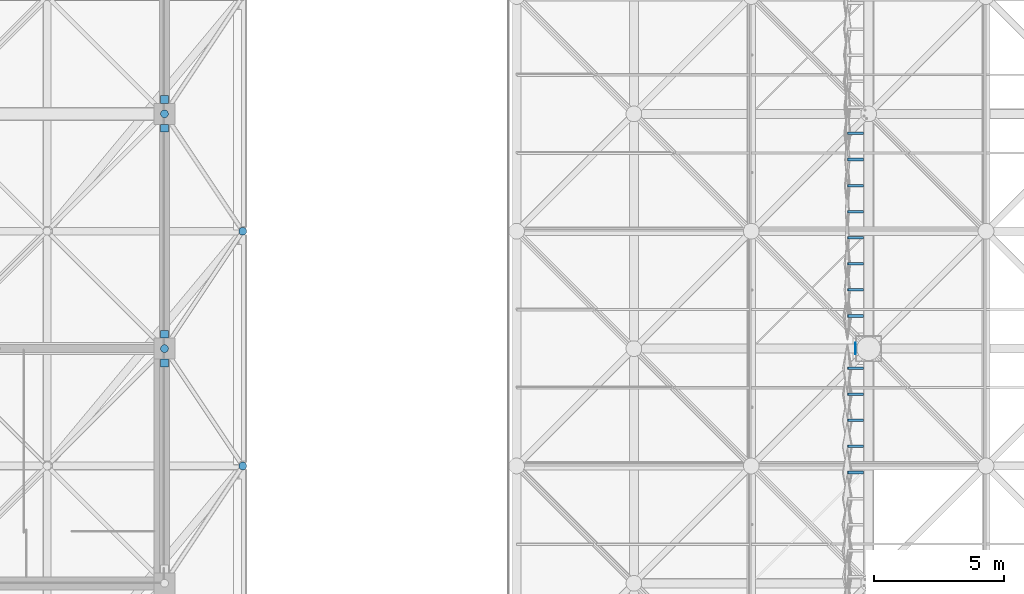
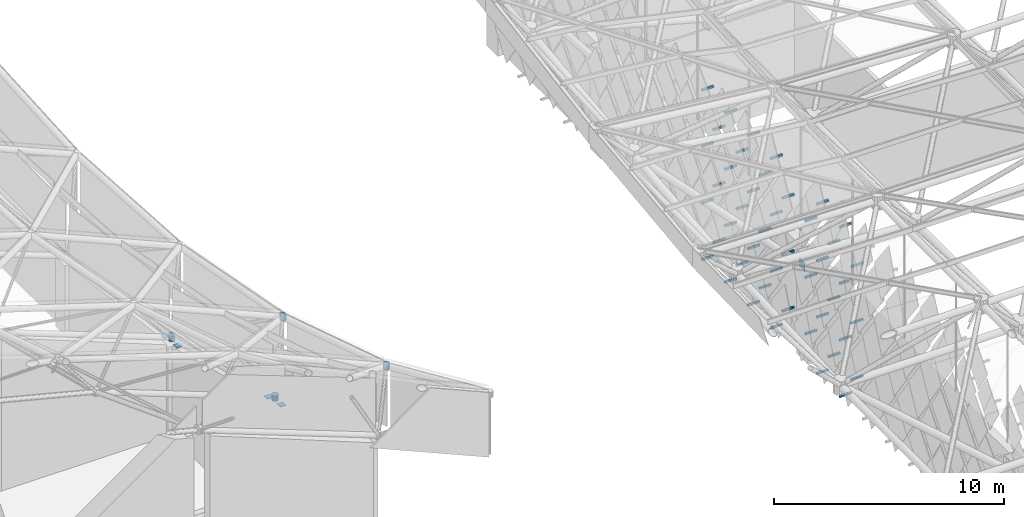
# One storey, part 362 of 437: 54 discrete accessories.
"""IFC4 building model written with IfcOpenShell, lengths in metres."""

from ifc_helpers import new_model, si_unit, direction, frame, origin, origin_2d, place, context, subcontext, project, spatial, polyline, rectangle, outline, extrude, material, layer, layer_set, type_object, element, save


model = new_model("IFC4")

# Units and contexts
model_context = context("Model", 3, precision=1e-05, world=origin(), true_north=direction((0.0, 1.0)))
body_context = subcontext(model_context, "Body", "Model", "MODEL_VIEW")
ifc_project = project(units=[si_unit("LENGTHUNIT", "METRE"), si_unit("AREAUNIT", "SQUARE_METRE"), si_unit("VOLUMEUNIT", "CUBIC_METRE"), si_unit("PLANEANGLEUNIT", "RADIAN"), si_unit("MASSUNIT", "GRAM", prefix="KILO")], contexts=[model_context])

# Site, building, storey
site_placement = place(None, origin())
site = spatial("IfcSite", under=ifc_project, at=site_placement, CompositionType="ELEMENT")
building_placement = place(site_placement, origin())
building = spatial("IfcBuilding", under=site, at=building_placement, Name="Opaline Strait Convention Centre", CompositionType="ELEMENT")
storey_placement = place(building_placement, frame((0.0, 0.0, 11.5)))
storey = spatial("IfcBuildingStorey", under=building, at=storey_placement, Name="L02", CompositionType="ELEMENT", Elevation=11.5)

# Discrete accessories
ifc_material_1 = material(Name="Steel Q355B", Category="steel")
ifc_layer_1 = layer(ifc_material_1, 0.02001953125)
ifc_layer_set_1 = layer_set([ifc_layer_1], Name="Steel Q355B")
discrete_accessory_type_1 = type_object("IfcDiscreteAccessoryType", Name="Cast-in anchor plate 300 x 300 x 20", PredefinedType="ANCHORPLATE", material=ifc_layer_set_1)
for number, where, z_axis, x_axis, name in (
    (1, (72.0, 125.4501953125, 7.18017578125), (0.0, 0.0, 1.0), (1.0, 0.0, 0.0), "Cast-in anchor plate at PWB1 web 8-2ac"),
    (2, (72.0, 126.5498046875, 6.935546875), (0.0, 0.0, 1.0), (1.0, 0.0, 0.0), "Cast-in anchor plate at PWB1 web 8-2ad"),
    (3, (72.0, 134.4501953125, 4.854736328125), (0.0, 0.0, 1.0), (1.0, 0.0, 0.0), "Cast-in anchor plate at PWB1 web 8-3ac"),
    (4, (72.0, 135.5498046875, 4.70068359375), (0.0, 0.0, 1.0), (1.0, 0.0, 0.0), "Cast-in anchor plate at PWB1 web 8-3ad"),
):
    element("IfcDiscreteAccessory", number, at=place(storey_placement, frame(where, z_axis=z_axis, x_axis=x_axis)), inside=storey, type_object=discrete_accessory_type_1, Name=name, PredefinedType="ANCHORPLATE", context=body_context, shape_type="SweptSolid", body=[
        extrude(rectangle(XDim=0.300048828125, YDim=0.300048828125, at=origin_2d()), origin(), (0.0, 0.0, 1.0), 0.02001953125),
    ])
ifc_material_2 = material(Name="Structural steel Q355B", Category="steel")
ifc_layer_2 = layer(ifc_material_2, 0.01611328125)
ifc_layer_set_2 = layer_set([ifc_layer_2], Name="Structural steel Q355B")
discrete_accessory_type_2 = type_object("IfcDiscreteAccessoryType", Name="Prop bearing plate 450 x 450 x 16", PredefinedType="ANCHORPLATE", material=ifc_layer_set_2)
discrete_accessory_1_placement = place(storey_placement, frame((0.0, 0.0, 4.791748046875)))
element("IfcDiscreteAccessory", 5, at=discrete_accessory_1_placement, inside=storey, type_object=discrete_accessory_type_2, Name="Prop bearing plate 99/126 W", PredefinedType="ANCHORPLATE", context=body_context, shape_type="SweptSolid", body=[
    extrude(outline(polyline([(98.48388671875, 125.77490234375), (98.5, 125.77490234375), (98.5, 126.22509765625), (98.48388671875, 126.22509765625), (98.48388671875, 125.77490234375)])), origin(), (0.0, 0.0, 1.0), 0.449951171875),
])
ifc_material_3 = material(Name="Cast steel ZG300-500H (300 MPa)", Category="steel")
discrete_accessory_type_3 = type_object("IfcDiscreteAccessoryType", Name="Shell node hub D300 cast steel", PredefinedType="USERDEFINED", material=ifc_material_3)
discrete_accessory_2_placement = place(storey_placement, frame((0.0, 0.0, 7.111328125)))
element("IfcDiscreteAccessory", 6, at=discrete_accessory_2_placement, inside=storey, type_object=discrete_accessory_type_3, Name="PNH1 node hub B8-2", ObjectType="NODE HUB", PredefinedType="USERDEFINED", context=body_context, shape_type="SweptSolid", body=[
    extrude(outline(polyline([(72.14990234375, 126.02978515625), (72.127197265625, 126.0849609375), (72.0849609375, 126.127197265625), (72.02978515625, 126.14990234375), (71.97021484375, 126.14990234375), (71.9150390625, 126.127197265625), (71.872802734375, 126.0849609375), (71.85009765625, 126.02978515625), (71.85009765625, 125.97021484375), (71.872802734375, 125.9150390625), (71.9150390625, 125.872802734375), (71.97021484375, 125.85009765625), (72.02978515625, 125.85009765625), (72.0849609375, 125.872802734375), (72.127197265625, 125.9150390625), (72.14990234375, 125.97021484375), (72.14990234375, 126.02978515625)])), origin(), (0.0, 0.0, 1.0), 0.31005859375),
])
discrete_accessory_3_placement = place(storey_placement, frame((0.0, 0.0, 4.82568359375)))
element("IfcDiscreteAccessory", 7, at=discrete_accessory_3_placement, inside=storey, type_object=discrete_accessory_type_3, Name="PNH1 node hub B8-3", ObjectType="NODE HUB", PredefinedType="USERDEFINED", context=body_context, shape_type="SweptSolid", body=[
    extrude(outline(polyline([(72.14990234375, 135.02978515625), (72.127197265625, 135.0849609375), (72.0849609375, 135.127197265625), (72.02978515625, 135.14990234375), (71.97021484375, 135.14990234375), (71.9150390625, 135.127197265625), (71.872802734375, 135.0849609375), (71.85009765625, 135.02978515625), (71.85009765625, 134.97021484375), (71.872802734375, 134.9150390625), (71.9150390625, 134.872802734375), (71.97021484375, 134.85009765625), (72.02978515625, 134.85009765625), (72.0849609375, 134.872802734375), (72.127197265625, 134.9150390625), (72.14990234375, 134.97021484375), (72.14990234375, 135.02978515625)])), origin(), (0.0, 0.0, 1.0), 0.31005859375),
])
discrete_accessory_4_placement = place(storey_placement, frame((0.0, 0.0, 10.43603515625)))
element("IfcDiscreteAccessory", 8, at=discrete_accessory_4_placement, inside=storey, type_object=discrete_accessory_type_3, Name="PNH1 node hub T9-2", ObjectType="NODE HUB", PredefinedType="USERDEFINED", context=body_context, shape_type="SweptSolid", body=[
    extrude(outline(polyline([(75.14990234375, 121.52978515625), (75.127197265625, 121.5849609375), (75.0849609375, 121.627197265625), (75.02978515625, 121.64990234375), (74.97021484375, 121.64990234375), (74.9150390625, 121.627197265625), (74.872802734375, 121.5849609375), (74.85009765625, 121.52978515625), (74.85009765625, 121.47021484375), (74.872802734375, 121.4150390625), (74.9150390625, 121.372802734375), (74.97021484375, 121.35009765625), (75.02978515625, 121.35009765625), (75.0849609375, 121.372802734375), (75.127197265625, 121.4150390625), (75.14990234375, 121.47021484375), (75.14990234375, 121.52978515625)])), origin(), (0.0, 0.0, 1.0), 0.31005859375),
])
discrete_accessory_5_placement = place(storey_placement, frame((0.0, 0.0, 7.578857421875)))
element("IfcDiscreteAccessory", 9, at=discrete_accessory_5_placement, inside=storey, type_object=discrete_accessory_type_3, Name="PNH1 node hub T9-3", ObjectType="NODE HUB", PredefinedType="USERDEFINED", context=body_context, shape_type="SweptSolid", body=[
    extrude(outline(polyline([(75.14990234375, 130.52978515625), (75.127197265625, 130.5849609375), (75.0849609375, 130.627197265625), (75.02978515625, 130.64990234375), (74.97021484375, 130.64990234375), (74.9150390625, 130.627197265625), (74.872802734375, 130.5849609375), (74.85009765625, 130.52978515625), (74.85009765625, 130.47021484375), (74.872802734375, 130.4150390625), (74.9150390625, 130.372802734375), (74.97021484375, 130.35009765625), (75.02978515625, 130.35009765625), (75.0849609375, 130.372802734375), (75.127197265625, 130.4150390625), (75.14990234375, 130.47021484375), (75.14990234375, 130.52978515625)])), origin(), (0.0, 0.0, 1.0), 0.31005859375),
])
discrete_accessory_type_4 = type_object("IfcDiscreteAccessoryType", Name="Tile bracket 100x100 steel", PredefinedType="BRACKET", material=ifc_material_1)
discrete_accessory_6_placement = place(storey_placement, frame((98.800048828125, 134.300048828125, 0.39208984375), z_axis=(0.0, -1.0, 0.0), x_axis=(1.0, 0.0, 0.0)))
element("IfcDiscreteAccessory", 10, at=discrete_accessory_6_placement, inside=storey, type_object=discrete_accessory_type_4, Name="Tile bracket XT04 W", PredefinedType="BRACKET", context=body_context, shape_type="SweptSolid", body=[
    extrude(outline(polyline([(0.0, -0.050048828125), (0.0, 0.050048828125), (-0.59814453125, 0.050048828125), (-0.601806640625, -0.050048828125), (0.0, -0.050048828125)])), origin(), (0.0, 0.0, 1.0), 0.10009765625),
])
discrete_accessory_7_placement = place(storey_placement, frame((98.800048828125, 132.300048828125, 0.39208984375), z_axis=(0.0, -1.0, 0.0), x_axis=(1.0, 0.0, 0.0)))
element("IfcDiscreteAccessory", 11, at=discrete_accessory_7_placement, inside=storey, type_object=discrete_accessory_type_4, Name="Tile bracket XT06 W", PredefinedType="BRACKET", context=body_context, shape_type="SweptSolid", body=[
    extrude(outline(polyline([(0.0, -0.050048828125), (0.0, 0.050048828125), (-0.597412109375, 0.050048828125), (-0.6025390625, -0.050048828125), (0.0, -0.050048828125)])), origin(), (0.0, 0.0, 1.0), 0.10009765625),
])
discrete_accessory_8_placement = place(storey_placement, frame((98.800048828125, 130.300048828125, 0.39208984375), z_axis=(0.0, -1.0, 0.0), x_axis=(1.0, 0.0, 0.0)))
element("IfcDiscreteAccessory", 12, at=discrete_accessory_8_placement, inside=storey, type_object=discrete_accessory_type_4, Name="Tile bracket XT10 W", PredefinedType="BRACKET", context=body_context, shape_type="SweptSolid", body=[
    extrude(outline(polyline([(0.0, -0.050048828125), (0.0, 0.050048828125), (-0.595703125, 0.050048828125), (-0.604248046875, -0.050048828125), (0.0, -0.050048828125)])), origin(), (0.0, 0.0, 1.0), 0.10009765625),
])
discrete_accessory_9_placement = place(storey_placement, frame((98.800048828125, 128.300048828125, 0.39208984375), z_axis=(0.0, -1.0, 0.0), x_axis=(1.0, 0.0, 0.0)))
element("IfcDiscreteAccessory", 13, at=discrete_accessory_9_placement, inside=storey, type_object=discrete_accessory_type_4, Name="Tile bracket XT13 W", PredefinedType="BRACKET", context=body_context, shape_type="SweptSolid", body=[
    extrude(outline(polyline([(0.0, -0.050048828125), (0.0, 0.050048828125), (-0.59423828125, 0.050048828125), (-0.605712890625, -0.050048828125), (0.0, -0.050048828125)])), origin(), (0.0, 0.0, 1.0), 0.10009765625),
])
discrete_accessory_10_placement = place(storey_placement, frame((98.800048828125, 124.300048828125, 0.39208984375), z_axis=(0.0, -1.0, 0.0), x_axis=(1.0, 0.0, 0.0)))
element("IfcDiscreteAccessory", 14, at=discrete_accessory_10_placement, inside=storey, type_object=discrete_accessory_type_4, Name="Tile bracket XT14 W", PredefinedType="BRACKET", context=body_context, shape_type="SweptSolid", body=[
    extrude(outline(polyline([(0.0, -0.050048828125), (0.0, 0.050048828125), (-0.59375, 0.050048828125), (-0.606201171875, -0.050048828125), (0.0, -0.050048828125)])), origin(), (0.0, 0.0, 1.0), 0.10009765625),
])
discrete_accessory_11_placement = place(storey_placement, frame((98.800048828125, 122.300048828125, 0.39208984375), z_axis=(0.0, -1.0, 0.0), x_axis=(1.0, 0.0, 0.0)))
element("IfcDiscreteAccessory", 15, at=discrete_accessory_11_placement, inside=storey, type_object=discrete_accessory_type_4, Name="Tile bracket XT12 W", PredefinedType="BRACKET", context=body_context, shape_type="SweptSolid", body=[
    extrude(outline(polyline([(0.0, -0.050048828125), (0.0, 0.050048828125), (-0.5947265625, 0.050048828125), (-0.605224609375, -0.050048828125), (0.0, -0.050048828125)])), origin(), (0.0, 0.0, 1.0), 0.10009765625),
])
discrete_accessory_12_placement = place(storey_placement, frame((98.800048828125, 133.300048828125, 1.89208984375), z_axis=(0.0, -1.0, 0.0), x_axis=(1.0, 0.0, 0.0)))
element("IfcDiscreteAccessory", 16, at=discrete_accessory_12_placement, inside=storey, type_object=discrete_accessory_type_4, Name="Tile bracket XT04 W", PredefinedType="BRACKET", context=body_context, shape_type="SweptSolid", body=[
    extrude(outline(polyline([(0.0, -0.050048828125), (0.0, 0.050048828125), (-0.59814453125, 0.050048828125), (-0.601806640625, -0.050048828125), (0.0, -0.050048828125)])), origin(), (0.0, 0.0, 1.0), 0.10009765625),
])
discrete_accessory_13_placement = place(storey_placement, frame((98.800048828125, 131.300048828125, 1.89208984375), z_axis=(0.0, -1.0, 0.0), x_axis=(1.0, 0.0, 0.0)))
element("IfcDiscreteAccessory", 17, at=discrete_accessory_13_placement, inside=storey, type_object=discrete_accessory_type_4, Name="Tile bracket XT06 W", PredefinedType="BRACKET", context=body_context, shape_type="SweptSolid", body=[
    extrude(outline(polyline([(0.0, -0.050048828125), (0.0, 0.050048828125), (-0.597412109375, 0.050048828125), (-0.6025390625, -0.050048828125), (0.0, -0.050048828125)])), origin(), (0.0, 0.0, 1.0), 0.10009765625),
])
discrete_accessory_14_placement = place(storey_placement, frame((98.800048828125, 129.300048828125, 1.89208984375), z_axis=(0.0, -1.0, 0.0), x_axis=(1.0, 0.0, 0.0)))
element("IfcDiscreteAccessory", 18, at=discrete_accessory_14_placement, inside=storey, type_object=discrete_accessory_type_4, Name="Tile bracket XT10 W", PredefinedType="BRACKET", context=body_context, shape_type="SweptSolid", body=[
    extrude(outline(polyline([(0.0, -0.050048828125), (0.0, 0.050048828125), (-0.595703125, 0.050048828125), (-0.604248046875, -0.050048828125), (0.0, -0.050048828125)])), origin(), (0.0, 0.0, 1.0), 0.10009765625),
])
discrete_accessory_15_placement = place(storey_placement, frame((98.800048828125, 127.300048828125, 1.89208984375), z_axis=(0.0, -1.0, 0.0), x_axis=(1.0, 0.0, 0.0)))
element("IfcDiscreteAccessory", 19, at=discrete_accessory_15_placement, inside=storey, type_object=discrete_accessory_type_4, Name="Tile bracket XT13 W", PredefinedType="BRACKET", context=body_context, shape_type="SweptSolid", body=[
    extrude(outline(polyline([(0.0, -0.050048828125), (0.0, 0.050048828125), (-0.59423828125, 0.050048828125), (-0.605712890625, -0.050048828125), (0.0, -0.050048828125)])), origin(), (0.0, 0.0, 1.0), 0.10009765625),
])
for number, where, z_axis, x_axis, name in (
    (20, (98.800048828125, 125.300048828125, 1.89208984375), (0.0, -1.0, 0.0), (1.0, 0.0, 0.0), "Tile bracket XT14 W"),
    (21, (98.800048828125, 123.300048828125, 1.89208984375), (0.0, -1.0, 0.0), (1.0, 0.0, 0.0), "Tile bracket XT14 W"),
):
    element("IfcDiscreteAccessory", number, at=place(storey_placement, frame(where, z_axis=z_axis, x_axis=x_axis)), inside=storey, type_object=discrete_accessory_type_4, Name=name, PredefinedType="BRACKET", context=body_context, shape_type="SweptSolid", body=[
        extrude(outline(polyline([(0.0, -0.050048828125), (0.0, 0.050048828125), (-0.59375, 0.050048828125), (-0.606201171875, -0.050048828125), (0.0, -0.050048828125)])), origin(), (0.0, 0.0, 1.0), 0.10009765625),
    ])
discrete_accessory_16_placement = place(storey_placement, frame((98.800048828125, 121.300048828125, 1.89208984375), z_axis=(0.0, -1.0, 0.0), x_axis=(1.0, 0.0, 0.0)))
element("IfcDiscreteAccessory", 22, at=discrete_accessory_16_placement, inside=storey, type_object=discrete_accessory_type_4, Name="Tile bracket XT12 W", PredefinedType="BRACKET", context=body_context, shape_type="SweptSolid", body=[
    extrude(outline(polyline([(0.0, -0.050048828125), (0.0, 0.050048828125), (-0.5947265625, 0.050048828125), (-0.605224609375, -0.050048828125), (0.0, -0.050048828125)])), origin(), (0.0, 0.0, 1.0), 0.10009765625),
])
discrete_accessory_17_placement = place(storey_placement, frame((98.800048828125, 134.300048828125, 3.39208984375), z_axis=(0.0, -1.0, 0.0), x_axis=(1.0, 0.0, 0.0)))
element("IfcDiscreteAccessory", 23, at=discrete_accessory_17_placement, inside=storey, type_object=discrete_accessory_type_4, Name="Tile bracket XT04 W", PredefinedType="BRACKET", context=body_context, shape_type="SweptSolid", body=[
    extrude(outline(polyline([(0.0, -0.050048828125), (0.0, 0.050048828125), (-0.601806640625, 0.050048828125), (-0.59814453125, -0.050048828125), (0.0, -0.050048828125)])), origin(), (0.0, 0.0, 1.0), 0.10009765625),
])
discrete_accessory_18_placement = place(storey_placement, frame((98.800048828125, 132.300048828125, 3.39208984375), z_axis=(0.0, -1.0, 0.0), x_axis=(1.0, 0.0, 0.0)))
element("IfcDiscreteAccessory", 24, at=discrete_accessory_18_placement, inside=storey, type_object=discrete_accessory_type_4, Name="Tile bracket XT05 W", PredefinedType="BRACKET", context=body_context, shape_type="SweptSolid", body=[
    extrude(outline(polyline([(0.0, -0.050048828125), (0.0, 0.050048828125), (-0.597900390625, 0.050048828125), (-0.602294921875, -0.050048828125), (0.0, -0.050048828125)])), origin(), (0.0, 0.0, 1.0), 0.10009765625),
])
discrete_accessory_19_placement = place(storey_placement, frame((98.800048828125, 130.300048828125, 3.39208984375), z_axis=(0.0, -1.0, 0.0), x_axis=(1.0, 0.0, 0.0)))
element("IfcDiscreteAccessory", 25, at=discrete_accessory_19_placement, inside=storey, type_object=discrete_accessory_type_4, Name="Tile bracket XT06 W", PredefinedType="BRACKET", context=body_context, shape_type="SweptSolid", body=[
    extrude(outline(polyline([(0.0, -0.050048828125), (0.0, 0.050048828125), (-0.597412109375, 0.050048828125), (-0.6025390625, -0.050048828125), (0.0, -0.050048828125)])), origin(), (0.0, 0.0, 1.0), 0.10009765625),
])
discrete_accessory_20_placement = place(storey_placement, frame((98.800048828125, 128.300048828125, 3.39208984375), z_axis=(0.0, -1.0, 0.0), x_axis=(1.0, 0.0, 0.0)))
element("IfcDiscreteAccessory", 26, at=discrete_accessory_20_placement, inside=storey, type_object=discrete_accessory_type_4, Name="Tile bracket XT10 W", PredefinedType="BRACKET", context=body_context, shape_type="SweptSolid", body=[
    extrude(outline(polyline([(0.0, -0.050048828125), (0.0, 0.050048828125), (-0.595703125, 0.050048828125), (-0.604248046875, -0.050048828125), (0.0, -0.050048828125)])), origin(), (0.0, 0.0, 1.0), 0.10009765625),
])
discrete_accessory_21_placement = place(storey_placement, frame((98.800048828125, 124.300048828125, 3.39208984375), z_axis=(0.0, -1.0, 0.0), x_axis=(1.0, 0.0, 0.0)))
element("IfcDiscreteAccessory", 27, at=discrete_accessory_21_placement, inside=storey, type_object=discrete_accessory_type_4, Name="Tile bracket XT15 W", PredefinedType="BRACKET", context=body_context, shape_type="SweptSolid", body=[
    extrude(outline(polyline([(0.0, -0.050048828125), (0.0, 0.050048828125), (-0.593505859375, 0.050048828125), (-0.606689453125, -0.050048828125), (0.0, -0.050048828125)])), origin(), (0.0, 0.0, 1.0), 0.10009765625),
])
discrete_accessory_22_placement = place(storey_placement, frame((98.800048828125, 122.300048828125, 3.39208984375), z_axis=(0.0, -1.0, 0.0), x_axis=(1.0, 0.0, 0.0)))
element("IfcDiscreteAccessory", 28, at=discrete_accessory_22_placement, inside=storey, type_object=discrete_accessory_type_4, Name="Tile bracket XT14 W", PredefinedType="BRACKET", context=body_context, shape_type="SweptSolid", body=[
    extrude(outline(polyline([(0.0, -0.050048828125), (0.0, 0.050048828125), (-0.59375, 0.050048828125), (-0.606201171875, -0.050048828125), (0.0, -0.050048828125)])), origin(), (0.0, 0.0, 1.0), 0.10009765625),
])
discrete_accessory_23_placement = place(storey_placement, frame((98.800048828125, 133.300048828125, 4.89208984375), z_axis=(0.0, -1.0, 0.0), x_axis=(1.0, 0.0, 0.0)))
element("IfcDiscreteAccessory", 29, at=discrete_accessory_23_placement, inside=storey, type_object=discrete_accessory_type_4, Name="Tile bracket XT04 W", PredefinedType="BRACKET", context=body_context, shape_type="SweptSolid", body=[
    extrude(outline(polyline([(0.0, -0.050048828125), (0.0, 0.050048828125), (-0.601806640625, 0.050048828125), (-0.59814453125, -0.050048828125), (0.0, -0.050048828125)])), origin(), (0.0, 0.0, 1.0), 0.10009765625),
])
discrete_accessory_24_placement = place(storey_placement, frame((98.800048828125, 131.300048828125, 4.89208984375), z_axis=(0.0, -1.0, 0.0), x_axis=(1.0, 0.0, 0.0)))
element("IfcDiscreteAccessory", 30, at=discrete_accessory_24_placement, inside=storey, type_object=discrete_accessory_type_4, Name="Tile bracket XT05 W", PredefinedType="BRACKET", context=body_context, shape_type="SweptSolid", body=[
    extrude(outline(polyline([(0.0, -0.050048828125), (0.0, 0.050048828125), (-0.597900390625, 0.050048828125), (-0.602294921875, -0.050048828125), (0.0, -0.050048828125)])), origin(), (0.0, 0.0, 1.0), 0.10009765625),
])
discrete_accessory_25_placement = place(storey_placement, frame((98.800048828125, 129.300048828125, 4.89208984375), z_axis=(0.0, -1.0, 0.0), x_axis=(1.0, 0.0, 0.0)))
element("IfcDiscreteAccessory", 31, at=discrete_accessory_25_placement, inside=storey, type_object=discrete_accessory_type_4, Name="Tile bracket XT06 W", PredefinedType="BRACKET", context=body_context, shape_type="SweptSolid", body=[
    extrude(outline(polyline([(0.0, -0.050048828125), (0.0, 0.050048828125), (-0.597412109375, 0.050048828125), (-0.6025390625, -0.050048828125), (0.0, -0.050048828125)])), origin(), (0.0, 0.0, 1.0), 0.10009765625),
])
discrete_accessory_26_placement = place(storey_placement, frame((98.800048828125, 127.300048828125, 4.89208984375), z_axis=(0.0, -1.0, 0.0), x_axis=(1.0, 0.0, 0.0)))
element("IfcDiscreteAccessory", 32, at=discrete_accessory_26_placement, inside=storey, type_object=discrete_accessory_type_4, Name="Tile bracket XT10 W", PredefinedType="BRACKET", context=body_context, shape_type="SweptSolid", body=[
    extrude(outline(polyline([(0.0, -0.050048828125), (0.0, 0.050048828125), (-0.595703125, 0.050048828125), (-0.604248046875, -0.050048828125), (0.0, -0.050048828125)])), origin(), (0.0, 0.0, 1.0), 0.10009765625),
])
discrete_accessory_27_placement = place(storey_placement, frame((98.800048828125, 125.300048828125, 4.89208984375), z_axis=(0.0, -1.0, 0.0), x_axis=(1.0, 0.0, 0.0)))
element("IfcDiscreteAccessory", 33, at=discrete_accessory_27_placement, inside=storey, type_object=discrete_accessory_type_4, Name="Tile bracket XT13 W", PredefinedType="BRACKET", context=body_context, shape_type="SweptSolid", body=[
    extrude(outline(polyline([(0.0, -0.050048828125), (0.0, 0.050048828125), (-0.59423828125, 0.050048828125), (-0.605712890625, -0.050048828125), (0.0, -0.050048828125)])), origin(), (0.0, 0.0, 1.0), 0.10009765625),
])
for number, where, z_axis, x_axis, name in (
    (34, (98.800048828125, 123.300048828125, 4.89208984375), (0.0, -1.0, 0.0), (1.0, 0.0, 0.0), "Tile bracket XT15 W"),
    (35, (98.800048828125, 121.300048828125, 4.89208984375), (0.0, -1.0, 0.0), (1.0, 0.0, 0.0), "Tile bracket XT15 W"),
):
    element("IfcDiscreteAccessory", number, at=place(storey_placement, frame(where, z_axis=z_axis, x_axis=x_axis)), inside=storey, type_object=discrete_accessory_type_4, Name=name, PredefinedType="BRACKET", context=body_context, shape_type="SweptSolid", body=[
        extrude(outline(polyline([(0.0, -0.050048828125), (0.0, 0.050048828125), (-0.593505859375, 0.050048828125), (-0.606689453125, -0.050048828125), (0.0, -0.050048828125)])), origin(), (0.0, 0.0, 1.0), 0.10009765625),
    ])
discrete_accessory_28_placement = place(storey_placement, frame((98.800048828125, 134.300048828125, 6.39208984375), z_axis=(0.0, -1.0, 0.0), x_axis=(1.0, 0.0, 0.0)))
element("IfcDiscreteAccessory", 36, at=discrete_accessory_28_placement, inside=storey, type_object=discrete_accessory_type_4, Name="Tile bracket XT07 W", PredefinedType="BRACKET", context=body_context, shape_type="SweptSolid", body=[
    extrude(outline(polyline([(0.0, -0.050048828125), (0.0, 0.050048828125), (-0.60302734375, 0.050048828125), (-0.596923828125, -0.050048828125), (0.0, -0.050048828125)])), origin(), (0.0, 0.0, 1.0), 0.10009765625),
])
discrete_accessory_29_placement = place(storey_placement, frame((98.800048828125, 132.300048828125, 6.39208984375), z_axis=(0.0, -1.0, 0.0), x_axis=(1.0, 0.0, 0.0)))
element("IfcDiscreteAccessory", 37, at=discrete_accessory_29_placement, inside=storey, type_object=discrete_accessory_type_4, Name="Tile bracket XT05 W", PredefinedType="BRACKET", context=body_context, shape_type="SweptSolid", body=[
    extrude(outline(polyline([(0.0, -0.050048828125), (0.0, 0.050048828125), (-0.602294921875, 0.050048828125), (-0.597900390625, -0.050048828125), (0.0, -0.050048828125)])), origin(), (0.0, 0.0, 1.0), 0.10009765625),
])
discrete_accessory_30_placement = place(storey_placement, frame((98.800048828125, 130.300048828125, 6.39208984375), z_axis=(0.0, -1.0, 0.0), x_axis=(1.0, 0.0, 0.0)))
element("IfcDiscreteAccessory", 38, at=discrete_accessory_30_placement, inside=storey, type_object=discrete_accessory_type_4, Name="Tile bracket XT05 W", PredefinedType="BRACKET", context=body_context, shape_type="SweptSolid", body=[
    extrude(outline(polyline([(0.0, -0.050048828125), (0.0, 0.050048828125), (-0.597900390625, 0.050048828125), (-0.602294921875, -0.050048828125), (0.0, -0.050048828125)])), origin(), (0.0, 0.0, 1.0), 0.10009765625),
])
discrete_accessory_31_placement = place(storey_placement, frame((98.800048828125, 128.300048828125, 6.39208984375), z_axis=(0.0, -1.0, 0.0), x_axis=(1.0, 0.0, 0.0)))
element("IfcDiscreteAccessory", 39, at=discrete_accessory_31_placement, inside=storey, type_object=discrete_accessory_type_4, Name="Tile bracket XT06 W", PredefinedType="BRACKET", context=body_context, shape_type="SweptSolid", body=[
    extrude(outline(polyline([(0.0, -0.050048828125), (0.0, 0.050048828125), (-0.597412109375, 0.050048828125), (-0.6025390625, -0.050048828125), (0.0, -0.050048828125)])), origin(), (0.0, 0.0, 1.0), 0.10009765625),
])
discrete_accessory_32_placement = place(storey_placement, frame((98.800048828125, 124.300048828125, 6.39208984375), z_axis=(0.0, -1.0, 0.0), x_axis=(1.0, 0.0, 0.0)))
element("IfcDiscreteAccessory", 40, at=discrete_accessory_32_placement, inside=storey, type_object=discrete_accessory_type_4, Name="Tile bracket XT13 W", PredefinedType="BRACKET", context=body_context, shape_type="SweptSolid", body=[
    extrude(outline(polyline([(0.0, -0.050048828125), (0.0, 0.050048828125), (-0.59423828125, 0.050048828125), (-0.605712890625, -0.050048828125), (0.0, -0.050048828125)])), origin(), (0.0, 0.0, 1.0), 0.10009765625),
])
discrete_accessory_33_placement = place(storey_placement, frame((98.800048828125, 122.300048828125, 6.39208984375), z_axis=(0.0, -1.0, 0.0), x_axis=(1.0, 0.0, 0.0)))
element("IfcDiscreteAccessory", 41, at=discrete_accessory_33_placement, inside=storey, type_object=discrete_accessory_type_4, Name="Tile bracket XT15 W", PredefinedType="BRACKET", context=body_context, shape_type="SweptSolid", body=[
    extrude(outline(polyline([(0.0, -0.050048828125), (0.0, 0.050048828125), (-0.593505859375, 0.050048828125), (-0.606689453125, -0.050048828125), (0.0, -0.050048828125)])), origin(), (0.0, 0.0, 1.0), 0.10009765625),
])
discrete_accessory_34_placement = place(storey_placement, frame((98.800048828125, 133.300048828125, 7.89208984375), z_axis=(0.0, -1.0, 0.0), x_axis=(1.0, 0.0, 0.0)))
element("IfcDiscreteAccessory", 42, at=discrete_accessory_34_placement, inside=storey, type_object=discrete_accessory_type_4, Name="Tile bracket XT07 W", PredefinedType="BRACKET", context=body_context, shape_type="SweptSolid", body=[
    extrude(outline(polyline([(0.0, -0.050048828125), (0.0, 0.050048828125), (-0.60302734375, 0.050048828125), (-0.596923828125, -0.050048828125), (0.0, -0.050048828125)])), origin(), (0.0, 0.0, 1.0), 0.10009765625),
])
discrete_accessory_35_placement = place(storey_placement, frame((98.800048828125, 131.300048828125, 7.89208984375), z_axis=(0.0, -1.0, 0.0), x_axis=(1.0, 0.0, 0.0)))
element("IfcDiscreteAccessory", 43, at=discrete_accessory_35_placement, inside=storey, type_object=discrete_accessory_type_4, Name="Tile bracket XT05 W", PredefinedType="BRACKET", context=body_context, shape_type="SweptSolid", body=[
    extrude(outline(polyline([(0.0, -0.050048828125), (0.0, 0.050048828125), (-0.602294921875, 0.050048828125), (-0.597900390625, -0.050048828125), (0.0, -0.050048828125)])), origin(), (0.0, 0.0, 1.0), 0.10009765625),
])
for number, where, z_axis, x_axis, name in (
    (44, (98.800048828125, 129.300048828125, 7.89208984375), (0.0, -1.0, 0.0), (1.0, 0.0, 0.0), "Tile bracket XT05 W"),
    (45, (98.800048828125, 127.300048828125, 7.89208984375), (0.0, -1.0, 0.0), (1.0, 0.0, 0.0), "Tile bracket XT05 W"),
):
    element("IfcDiscreteAccessory", number, at=place(storey_placement, frame(where, z_axis=z_axis, x_axis=x_axis)), inside=storey, type_object=discrete_accessory_type_4, Name=name, PredefinedType="BRACKET", context=body_context, shape_type="SweptSolid", body=[
        extrude(outline(polyline([(0.0, -0.050048828125), (0.0, 0.050048828125), (-0.597900390625, 0.050048828125), (-0.602294921875, -0.050048828125), (0.0, -0.050048828125)])), origin(), (0.0, 0.0, 1.0), 0.10009765625),
    ])
discrete_accessory_36_placement = place(storey_placement, frame((98.800048828125, 125.300048828125, 7.89208984375), z_axis=(0.0, -1.0, 0.0), x_axis=(1.0, 0.0, 0.0)))
element("IfcDiscreteAccessory", 46, at=discrete_accessory_36_placement, inside=storey, type_object=discrete_accessory_type_4, Name="Tile bracket XT09 W", PredefinedType="BRACKET", context=body_context, shape_type="SweptSolid", body=[
    extrude(outline(polyline([(0.0, -0.050048828125), (0.0, 0.050048828125), (-0.595947265625, 0.050048828125), (-0.60400390625, -0.050048828125), (0.0, -0.050048828125)])), origin(), (0.0, 0.0, 1.0), 0.10009765625),
])
discrete_accessory_37_placement = place(storey_placement, frame((98.800048828125, 123.300048828125, 7.89208984375), z_axis=(0.0, -1.0, 0.0), x_axis=(1.0, 0.0, 0.0)))
element("IfcDiscreteAccessory", 47, at=discrete_accessory_37_placement, inside=storey, type_object=discrete_accessory_type_4, Name="Tile bracket XT13 W", PredefinedType="BRACKET", context=body_context, shape_type="SweptSolid", body=[
    extrude(outline(polyline([(0.0, -0.050048828125), (0.0, 0.050048828125), (-0.59423828125, 0.050048828125), (-0.605712890625, -0.050048828125), (0.0, -0.050048828125)])), origin(), (0.0, 0.0, 1.0), 0.10009765625),
])
discrete_accessory_38_placement = place(storey_placement, frame((98.800048828125, 121.300048828125, 7.89208984375), z_axis=(0.0, -1.0, 0.0), x_axis=(1.0, 0.0, 0.0)))
element("IfcDiscreteAccessory", 48, at=discrete_accessory_38_placement, inside=storey, type_object=discrete_accessory_type_4, Name="Tile bracket XT15 W", PredefinedType="BRACKET", context=body_context, shape_type="SweptSolid", body=[
    extrude(outline(polyline([(0.0, -0.050048828125), (0.0, 0.050048828125), (-0.593505859375, 0.050048828125), (-0.606689453125, -0.050048828125), (0.0, -0.050048828125)])), origin(), (0.0, 0.0, 1.0), 0.10009765625),
])
discrete_accessory_39_placement = place(storey_placement, frame((98.800048828125, 134.300048828125, 9.39208984375), z_axis=(0.0, -1.0, 0.0), x_axis=(1.0, 0.0, 0.0)))
element("IfcDiscreteAccessory", 49, at=discrete_accessory_39_placement, inside=storey, type_object=discrete_accessory_type_4, Name="Tile bracket XT10 W", PredefinedType="BRACKET", context=body_context, shape_type="SweptSolid", body=[
    extrude(outline(polyline([(0.0, -0.050048828125), (0.0, 0.050048828125), (-0.604248046875, 0.050048828125), (-0.595703125, -0.050048828125), (0.0, -0.050048828125)])), origin(), (0.0, 0.0, 1.0), 0.10009765625),
])
discrete_accessory_40_placement = place(storey_placement, frame((98.800048828125, 132.300048828125, 9.39208984375), z_axis=(0.0, -1.0, 0.0), x_axis=(1.0, 0.0, 0.0)))
element("IfcDiscreteAccessory", 50, at=discrete_accessory_40_placement, inside=storey, type_object=discrete_accessory_type_4, Name="Tile bracket XT08 W", PredefinedType="BRACKET", context=body_context, shape_type="SweptSolid", body=[
    extrude(outline(polyline([(0.0, -0.050048828125), (0.0, 0.050048828125), (-0.603515625, 0.050048828125), (-0.596435546875, -0.050048828125), (0.0, -0.050048828125)])), origin(), (0.0, 0.0, 1.0), 0.10009765625),
])
discrete_accessory_41_placement = place(storey_placement, frame((98.800048828125, 130.300048828125, 9.39208984375), z_axis=(0.0, -1.0, 0.0), x_axis=(1.0, 0.0, 0.0)))
element("IfcDiscreteAccessory", 51, at=discrete_accessory_41_placement, inside=storey, type_object=discrete_accessory_type_4, Name="Tile bracket XT05 W", PredefinedType="BRACKET", context=body_context, shape_type="SweptSolid", body=[
    extrude(outline(polyline([(0.0, -0.050048828125), (0.0, 0.050048828125), (-0.602294921875, 0.050048828125), (-0.597900390625, -0.050048828125), (0.0, -0.050048828125)])), origin(), (0.0, 0.0, 1.0), 0.10009765625),
])
discrete_accessory_42_placement = place(storey_placement, frame((98.800048828125, 128.300048828125, 9.39208984375), z_axis=(0.0, -1.0, 0.0), x_axis=(1.0, 0.0, 0.0)))
element("IfcDiscreteAccessory", 52, at=discrete_accessory_42_placement, inside=storey, type_object=discrete_accessory_type_4, Name="Tile bracket XT05 W", PredefinedType="BRACKET", context=body_context, shape_type="SweptSolid", body=[
    extrude(outline(polyline([(0.0, -0.050048828125), (0.0, 0.050048828125), (-0.597900390625, 0.050048828125), (-0.602294921875, -0.050048828125), (0.0, -0.050048828125)])), origin(), (0.0, 0.0, 1.0), 0.10009765625),
])
discrete_accessory_43_placement = place(storey_placement, frame((98.800048828125, 124.300048828125, 9.39208984375), z_axis=(0.0, -1.0, 0.0), x_axis=(1.0, 0.0, 0.0)))
element("IfcDiscreteAccessory", 53, at=discrete_accessory_43_placement, inside=storey, type_object=discrete_accessory_type_4, Name="Tile bracket XT10 W", PredefinedType="BRACKET", context=body_context, shape_type="SweptSolid", body=[
    extrude(outline(polyline([(0.0, -0.050048828125), (0.0, 0.050048828125), (-0.595703125, 0.050048828125), (-0.604248046875, -0.050048828125), (0.0, -0.050048828125)])), origin(), (0.0, 0.0, 1.0), 0.10009765625),
])
discrete_accessory_44_placement = place(storey_placement, frame((98.800048828125, 122.300048828125, 9.39208984375), z_axis=(0.0, -1.0, 0.0), x_axis=(1.0, 0.0, 0.0)))
element("IfcDiscreteAccessory", 54, at=discrete_accessory_44_placement, inside=storey, type_object=discrete_accessory_type_4, Name="Tile bracket XT13 W", PredefinedType="BRACKET", context=body_context, shape_type="SweptSolid", body=[
    extrude(outline(polyline([(0.0, -0.050048828125), (0.0, 0.050048828125), (-0.59423828125, 0.050048828125), (-0.605712890625, -0.050048828125), (0.0, -0.050048828125)])), origin(), (0.0, 0.0, 1.0), 0.10009765625),
])

save(model, "model.ifc")
